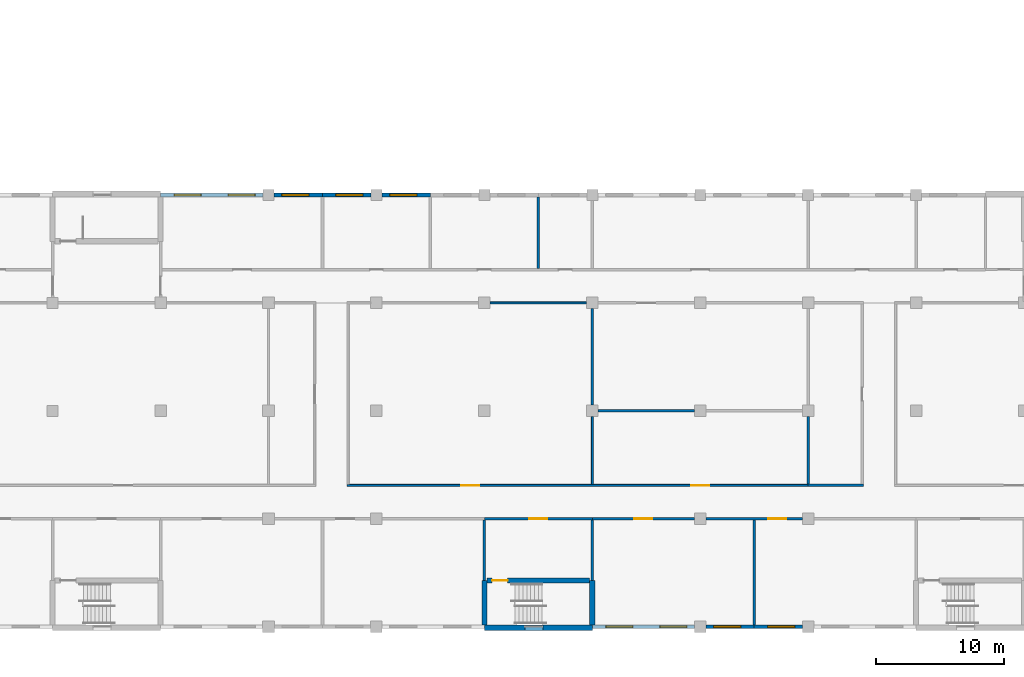
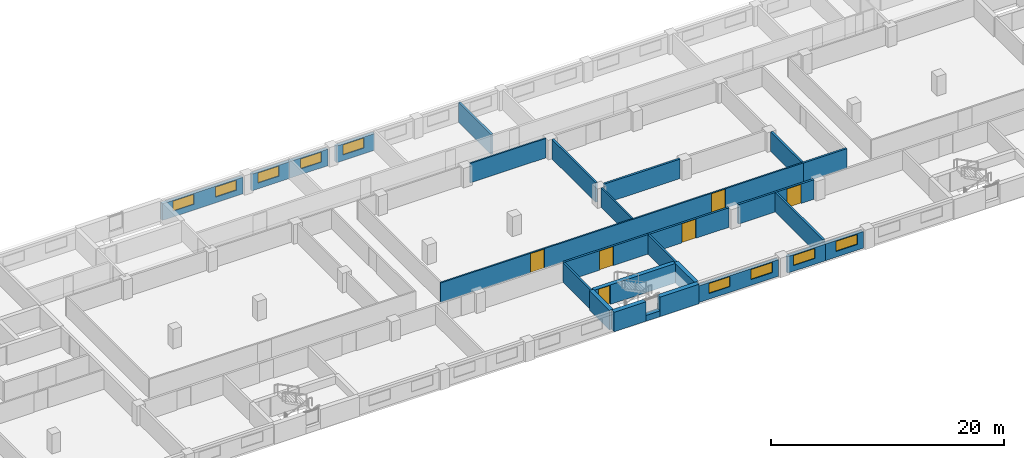
# One storey, part 33 of 48: 27 walls, 9 windows, 6 doors, 15 openings.
"""IFC4 building model written with IfcOpenShell, lengths in metres."""

from ifc_helpers import new_model, si_unit, direction, frame, frame_2d, origin, place, context, subcontext, project, spatial, rectangle, extrude, material, layer, layer_set, type_object, element, fill, save


model = new_model("IFC4")

# Units and contexts
model_context = context("Model", 3, precision=1e-05, world=origin(), true_north=direction((0.0, 1.0)))
body_context = subcontext(model_context, "Body", "Model", "MODEL_VIEW")
ifc_project = project(units=[si_unit("LENGTHUNIT", "METRE"), si_unit("AREAUNIT", "SQUARE_METRE"), si_unit("VOLUMEUNIT", "CUBIC_METRE"), si_unit("PLANEANGLEUNIT", "RADIAN"), si_unit("MASSUNIT", "GRAM", prefix="KILO")], contexts=[model_context])

# Site, building, storey
site_placement = place(None, origin())
site = spatial("IfcSite", under=ifc_project, at=site_placement, CompositionType="ELEMENT")
building_placement = place(site_placement, origin())
building = spatial("IfcBuilding", under=site, at=building_placement, Name="Yavir Park General Hospital", CompositionType="ELEMENT")
storey_placement = place(building_placement, frame((0.0, 0.0, 12.89990234375)))
storey = spatial("IfcBuildingStorey", under=building, at=storey_placement, Name="I02", CompositionType="ELEMENT", Elevation=12.89990234375)

# Wall, opening, door
ifc_material_1 = material(Name="Double gypsum board fire partition on steel studs", Category="steel")
ifc_layer_1 = layer(ifc_material_1, 0.199951171875)
ifc_layer_set_1 = layer_set([ifc_layer_1], Name="Double gypsum board fire partition on steel studs")
wall_type_1 = type_object("IfcWallType", Name="Fire-rated partition 200, EI 60", PredefinedType="PARTITIONING", material=ifc_layer_set_1)
wall_1_placement = place(storey_placement, frame((67.199951171875, 8.39990234375, 0.0), z_axis=(0.0, 0.0, 1.0), x_axis=(1.0, 0.0, 0.0)))
wall_1 = element("IfcWall", 1, at=wall_1_placement, inside=storey, type_object=wall_type_1, Name="FP20 I02-010", PredefinedType="PARTITIONING", context=body_context, shape_type="SweptSolid", body=[
    extrude(rectangle(XDim=8.400146484375, YDim=0.199951171875, at=frame_2d((4.2001953125, 0.0))), origin(), (0.0, 0.0, 1.0), 2.0400390625),
])
opening_1_placement = place(wall_1_placement, frame((3.5, 0.0, 0.0)))
opening_1 = element("IfcOpeningElement", 2, at=opening_1_placement, cuts=wall_1, Name="Opening I02.D009", PredefinedType="OPENING", context=body_context, shape_type="SweptSolid", body=[
    extrude(rectangle(XDim=1.39990234375, YDim=2.0, at=frame_2d((0.699951171875, 1.0))), frame((0.0, 0.10986328125, 0.0), z_axis=(0.0, -1.0, 0.0), x_axis=(1.0, 0.0, 0.0)), (0.0, 0.0, 1.0), 0.219970703125),
])
ifc_material_2 = material(Name="Steel frame, fire-resisting leaves with vision panels", Category="steel")
door_type_1 = type_object("IfcDoorType", Name="Double fire door with vision panels 1400 x 2000, EI 60", OperationType="DOUBLE_DOOR_SINGLE_SWING", PredefinedType="DOOR", material=ifc_material_2)
door_1_placement = place(opening_1_placement, origin())
door_1 = element("IfcDoor", 3, at=door_1_placement, inside=storey, type_object=door_type_1, Name="I02.D009", OperationType="SINGLE_SWING_LEFT", OverallHeight=2.0, OverallWidth=1.39990234375, PredefinedType="DOOR", context=body_context, shape_type="SweptSolid", body=[
    extrude(rectangle(XDim=1.39990234375, YDim=2.0, at=frame_2d((0.699951171875, 1.0))), frame((0.0, 0.030029296875, 0.0), z_axis=(0.0, -1.0, 0.0), x_axis=(1.0, 0.0, 0.0)), (0.0, 0.0, 1.0), 0.06005859375),
])
fill(opening_1, door_1)

# Walls
for number, where, z_axis, x_axis, name in (
    (4, (67.199951171875, 3.60009765625, 0.0), (0.0, 0.0, 1.0), (0.0, 1.0, 0.0), "FP20 I02-155"),
    (5, (75.60009765625, 3.60009765625, 0.0), (0.0, 0.0, 1.0), (0.0, 1.0, 0.0), "FP20 I02-158"),
):
    element("IfcWall", number, at=place(storey_placement, frame(where, z_axis=z_axis, x_axis=x_axis)), inside=storey, type_object=wall_type_1, Name=name, PredefinedType="PARTITIONING", context=body_context, shape_type="SweptSolid", body=[
        extrude(rectangle(XDim=4.699951171875, YDim=0.199951171875, at=frame_2d((2.35009765625, 0.0))), origin(), (0.0, 0.0, 1.0), 2.0400390625),
    ])

# Wall, openings, doors
ifc_material_3 = material(Name="Gypsum board partition on steel studs", Category="steel")
ifc_layer_2 = layer(ifc_material_3, 0.14990234375)
ifc_layer_set_2 = layer_set([ifc_layer_2], Name="Gypsum board partition on steel studs")
wall_type_2 = type_object("IfcWallType", Name="Gypsum board partition 150", PredefinedType="PARTITIONING", material=ifc_layer_set_2)
wall_2_placement = place(storey_placement, frame((56.52490234375, 11.0, 0.0), z_axis=(0.0, 0.0, 1.0), x_axis=(1.0, 0.0, 0.0)))
wall_2 = element("IfcWall", 6, at=wall_2_placement, inside=storey, type_object=wall_type_2, Name="P15 I02-023", PredefinedType="PARTITIONING", context=body_context, shape_type="SweptSolid", body=[
    extrude(rectangle(XDim=35.875, YDim=0.14990234375, at=frame_2d((17.9375, 0.0))), origin(), (0.0, 0.0, 1.0), 2.0400390625),
])
opening_2_placement = place(wall_2_placement, frame((8.875, 0.0, 0.0)))
opening_2 = element("IfcOpeningElement", 7, at=opening_2_placement, cuts=wall_2, Name="Opening I02.D019", PredefinedType="OPENING", context=body_context, shape_type="SweptSolid", body=[
    extrude(rectangle(XDim=1.39990234375, YDim=2.0, at=frame_2d((0.699951171875, 1.0))), frame((0.0, 0.0849609375, 0.0), z_axis=(0.0, -1.0, 0.0), x_axis=(1.0, 0.0, 0.0)), (0.0, 0.0, 1.0), 0.169921875),
])
opening_3_placement = place(wall_2_placement, frame((26.77490234375, 0.0, 0.0)))
opening_3 = element("IfcOpeningElement", 8, at=opening_3_placement, cuts=wall_2, Name="Opening I02.D020", PredefinedType="OPENING", context=body_context, shape_type="SweptSolid", body=[
    extrude(rectangle(XDim=1.39990234375, YDim=2.0, at=frame_2d((0.699951171875, 1.0))), frame((0.0, 0.0849609375, 0.0), z_axis=(0.0, -1.0, 0.0), x_axis=(1.0, 0.0, 0.0)), (0.0, 0.0, 1.0), 0.169921875),
])
ifc_material_4 = material(Name="Hollow metal frame, solid-core timber leaf", Category="wood")
door_type_2 = type_object("IfcDoorType", Name="Double swing door 1400 x 2000", OperationType="DOUBLE_DOOR_SINGLE_SWING", PredefinedType="DOOR", material=ifc_material_4)
door_2_placement = place(opening_2_placement, origin())
door_2 = element("IfcDoor", 9, at=door_2_placement, inside=storey, type_object=door_type_2, Name="I02.D019", OperationType="SINGLE_SWING_RIGHT", OverallHeight=2.0, OverallWidth=1.39990234375, PredefinedType="DOOR", context=body_context, shape_type="SweptSolid", body=[
    extrude(rectangle(XDim=1.39990234375, YDim=2.0, at=frame_2d((0.699951171875, 1.0))), frame((0.0, 0.02490234375, 0.0), z_axis=(0.0, -1.0, 0.0), x_axis=(1.0, 0.0, 0.0)), (0.0, 0.0, 1.0), 0.050048828125),
])
fill(opening_2, door_2)
door_3_placement = place(opening_3_placement, origin())
door_3 = element("IfcDoor", 10, at=door_3_placement, inside=storey, type_object=door_type_2, Name="I02.D020", OperationType="SINGLE_SWING_RIGHT", OverallHeight=2.0, OverallWidth=1.39990234375, PredefinedType="DOOR", context=body_context, shape_type="SweptSolid", body=[
    extrude(rectangle(XDim=1.39990234375, YDim=2.0, at=frame_2d((0.699951171875, 1.0))), frame((0.0, 0.02490234375, 0.0), z_axis=(0.0, -1.0, 0.0), x_axis=(1.0, 0.0, 0.0)), (0.0, 0.0, 1.0), 0.050048828125),
])
fill(opening_3, door_3)

# Walls
wall_3_placement = place(storey_placement, frame((67.64990234375, 25.199951171875, 0.0), z_axis=(0.0, 0.0, 1.0), x_axis=(1.0, 0.0, 0.0)))
element("IfcWall", 11, at=wall_3_placement, inside=storey, type_object=wall_type_2, Name="P15 I02-050", PredefinedType="PARTITIONING", context=body_context, shape_type="SweptSolid", body=[
    extrude(rectangle(XDim=7.5, YDim=0.14990234375, at=frame_2d((3.75, 0.0))), origin(), (0.0, 0.0, 1.0), 2.0400390625),
])
wall_4_placement = place(storey_placement, frame((75.60009765625, 11.074951171875, 0.0), z_axis=(0.0, 0.0, 1.0), x_axis=(0.0, 1.0, 0.0)))
element("IfcWall", 12, at=wall_4_placement, inside=storey, type_object=wall_type_2, Name="P15 I02-159", PredefinedType="PARTITIONING", context=body_context, shape_type="SweptSolid", body=[
    extrude(rectangle(XDim=5.275146484375, YDim=0.14990234375, at=frame_2d((2.6376953125, 0.0))), origin(), (0.0, 0.0, 1.0), 2.0400390625),
])

# Wall, openings, windows
ifc_material_5 = material(Name="Insulated sandwich panels on a Steel S355 subframe", Category="steel")
ifc_layer_3 = layer(ifc_material_5, 0.300048828125)
ifc_layer_set_3 = layer_set([ifc_layer_3], Name="Insulated sandwich panels on a Steel S355 subframe")
wall_type_3 = type_object("IfcWallType", Name="Insulated panel service floor wall 300, E 30", PredefinedType="SOLIDWALL", material=ifc_layer_set_3)
wall_5_placement = place(storey_placement, frame((75.60009765625, 0.0, 0.0), z_axis=(0.0, 0.0, 1.0), x_axis=(1.0, 0.0, 0.0)))
wall_5 = element("IfcWall", 13, at=wall_5_placement, inside=storey, type_object=wall_type_3, Name="XW5 I02-016", PredefinedType="SOLIDWALL", context=body_context, shape_type="SweptSolid", body=[
    extrude(rectangle(XDim=7.949951171875, YDim=0.300048828125, at=frame_2d((3.97509765625, 0.0))), origin(), (0.0, 0.0, 1.0), 1.739990234375),
])
opening_4_placement = place(wall_5_placement, frame((1.050048828125, 0.0, 0.60009765625)))
opening_4 = element("IfcOpeningElement", 14, at=opening_4_placement, cuts=wall_5, Name="Opening LV3", PredefinedType="OPENING", context=body_context, shape_type="SweptSolid", body=[
    extrude(rectangle(XDim=2.10009765625, YDim=1.050048828125, at=frame_2d((1.050048828125, 0.52490234375))), frame((0.0, 0.159912109375, 0.0), z_axis=(0.0, -1.0, 0.0), x_axis=(1.0, 0.0, 0.0)), (0.0, 0.0, 1.0), 0.320068359375),
])
opening_5_placement = place(wall_5_placement, frame((5.25, 0.0, 0.60009765625)))
opening_5 = element("IfcOpeningElement", 15, at=opening_5_placement, cuts=wall_5, Name="Opening LV3", PredefinedType="OPENING", context=body_context, shape_type="SweptSolid", body=[
    extrude(rectangle(XDim=2.10009765625, YDim=1.050048828125, at=frame_2d((1.050048828125, 0.52490234375))), frame((0.0, 0.159912109375, 0.0), z_axis=(0.0, -1.0, 0.0), x_axis=(1.0, 0.0, 0.0)), (0.0, 0.0, 1.0), 0.320068359375),
])
ifc_material_6 = material(Name="Anodised aluminium louvre blades in a deep frame", Category="aluminium")
window_type = type_object("IfcWindowType", Name="Interstitial floor louvre 2100 x 1050", PartitioningType="SINGLE_PANEL", PredefinedType="WINDOW", material=ifc_material_6)
window_1_placement = place(opening_4_placement, origin())
window_1 = element("IfcWindow", 16, at=window_1_placement, inside=storey, type_object=window_type, Name="LV3 I02-015", OverallHeight=1.050048828125, OverallWidth=2.10009765625, PartitioningType="SINGLE_PANEL", PredefinedType="WINDOW", context=body_context, shape_type="SweptSolid", body=[
    extrude(rectangle(XDim=2.10009765625, YDim=1.050048828125, at=frame_2d((1.050048828125, 0.52490234375))), frame((0.0, 0.074951171875, 0.0), z_axis=(0.0, -1.0, 0.0), x_axis=(1.0, 0.0, 0.0)), (0.0, 0.0, 1.0), 0.14990234375),
])
fill(opening_4, window_1)
window_2_placement = place(opening_5_placement, origin())
window_2 = element("IfcWindow", 17, at=window_2_placement, inside=storey, type_object=window_type, Name="LV3 I02-016", OverallHeight=1.050048828125, OverallWidth=2.10009765625, PartitioningType="SINGLE_PANEL", PredefinedType="WINDOW", context=body_context, shape_type="SweptSolid", body=[
    extrude(rectangle(XDim=2.10009765625, YDim=1.050048828125, at=frame_2d((1.050048828125, 0.52490234375))), frame((0.0, 0.074951171875, 0.0), z_axis=(0.0, -1.0, 0.0), x_axis=(1.0, 0.0, 0.0)), (0.0, 0.0, 1.0), 0.14990234375),
])
fill(opening_5, window_2)

# Wall, opening, window
wall_6_placement = place(storey_placement, frame((84.449951171875, 0.0, 0.0), z_axis=(0.0, 0.0, 1.0), x_axis=(1.0, 0.0, 0.0)))
wall_6 = element("IfcWall", 18, at=wall_6_placement, inside=storey, type_object=wall_type_3, Name="XW5 I02-017", PredefinedType="SOLIDWALL", context=body_context, shape_type="SweptSolid", body=[
    extrude(rectangle(XDim=3.75, YDim=0.300048828125, at=frame_2d((1.875, 0.0))), origin(), (0.0, 0.0, 1.0), 1.739990234375),
])
opening_6_placement = place(wall_6_placement, frame((0.60009765625, 0.0, 0.60009765625)))
opening_6 = element("IfcOpeningElement", 19, at=opening_6_placement, cuts=wall_6, Name="Opening LV3", PredefinedType="OPENING", context=body_context, shape_type="SweptSolid", body=[
    extrude(rectangle(XDim=2.10009765625, YDim=1.050048828125, at=frame_2d((1.050048828125, 0.52490234375))), frame((0.0, 0.159912109375, 0.0), z_axis=(0.0, -1.0, 0.0), x_axis=(1.0, 0.0, 0.0)), (0.0, 0.0, 1.0), 0.320068359375),
])
window_3_placement = place(opening_6_placement, origin())
window_3 = element("IfcWindow", 20, at=window_3_placement, inside=storey, type_object=window_type, Name="LV3 I02-017", OverallHeight=1.050048828125, OverallWidth=2.10009765625, PartitioningType="SINGLE_PANEL", PredefinedType="WINDOW", context=body_context, shape_type="SweptSolid", body=[
    extrude(rectangle(XDim=2.10009765625, YDim=1.050048828125, at=frame_2d((1.050048828125, 0.52490234375))), frame((0.0, 0.074951171875, 0.0), z_axis=(0.0, -1.0, 0.0), x_axis=(1.0, 0.0, 0.0)), (0.0, 0.0, 1.0), 0.14990234375),
])
fill(opening_6, window_3)

wall_7_placement = place(storey_placement, frame((88.199951171875, 0.0, 0.0), z_axis=(0.0, 0.0, 1.0), x_axis=(1.0, 0.0, 0.0)))
wall_7 = element("IfcWall", 21, at=wall_7_placement, inside=storey, type_object=wall_type_3, Name="XW5 I02-018", PredefinedType="SOLIDWALL", context=body_context, shape_type="SweptSolid", body=[
    extrude(rectangle(XDim=3.75, YDim=0.300048828125, at=frame_2d((1.875, 0.0))), origin(), (0.0, 0.0, 1.0), 1.739990234375),
])
opening_7_placement = place(wall_7_placement, frame((1.050048828125, 0.0, 0.60009765625)))
opening_7 = element("IfcOpeningElement", 22, at=opening_7_placement, cuts=wall_7, Name="Opening LV3", PredefinedType="OPENING", context=body_context, shape_type="SweptSolid", body=[
    extrude(rectangle(XDim=2.10009765625, YDim=1.050048828125, at=frame_2d((1.050048828125, 0.52490234375))), frame((0.0, 0.159912109375, 0.0), z_axis=(0.0, -1.0, 0.0), x_axis=(1.0, 0.0, 0.0)), (0.0, 0.0, 1.0), 0.320068359375),
])
window_4_placement = place(opening_7_placement, origin())
window_4 = element("IfcWindow", 23, at=window_4_placement, inside=storey, type_object=window_type, Name="LV3 I02-018", OverallHeight=1.050048828125, OverallWidth=2.10009765625, PartitioningType="SINGLE_PANEL", PredefinedType="WINDOW", context=body_context, shape_type="SweptSolid", body=[
    extrude(rectangle(XDim=2.10009765625, YDim=1.050048828125, at=frame_2d((1.050048828125, 0.52490234375))), frame((0.0, 0.074951171875, 0.0), z_axis=(0.0, -1.0, 0.0), x_axis=(1.0, 0.0, 0.0)), (0.0, 0.0, 1.0), 0.14990234375),
])
fill(opening_7, window_4)

# Wall, openings, windows
wall_8_placement = place(storey_placement, frame((42.0, 33.60009765625, 0.0), z_axis=(0.0, 0.0, 1.0), x_axis=(1.0, 0.0, 0.0)))
wall_8 = element("IfcWall", 24, at=wall_8_placement, inside=storey, type_object=wall_type_3, Name="XW5 I02-038", PredefinedType="SOLIDWALL", context=body_context, shape_type="SweptSolid", body=[
    extrude(rectangle(XDim=7.97509765625, YDim=0.300048828125, at=frame_2d((3.987548828125, 0.0))), origin(), (0.0, 0.0, 1.0), 1.739990234375),
])
opening_8_placement = place(wall_8_placement, frame((1.050048828125, 0.0, 0.60009765625)))
opening_8 = element("IfcOpeningElement", 25, at=opening_8_placement, cuts=wall_8, Name="Opening LV3", PredefinedType="OPENING", context=body_context, shape_type="SweptSolid", body=[
    extrude(rectangle(XDim=2.10009765625, YDim=1.050048828125, at=frame_2d((1.050048828125, 0.52490234375))), frame((0.0, 0.159912109375, 0.0), z_axis=(0.0, -1.0, 0.0), x_axis=(1.0, 0.0, 0.0)), (0.0, 0.0, 1.0), 0.320068359375),
])
opening_9_placement = place(wall_8_placement, frame((5.25, 0.0, 0.60009765625)))
opening_9 = element("IfcOpeningElement", 26, at=opening_9_placement, cuts=wall_8, Name="Opening LV3", PredefinedType="OPENING", context=body_context, shape_type="SweptSolid", body=[
    extrude(rectangle(XDim=2.10009765625, YDim=1.050048828125, at=frame_2d((1.050048828125, 0.52490234375))), frame((0.0, 0.159912109375, 0.0), z_axis=(0.0, -1.0, 0.0), x_axis=(1.0, 0.0, 0.0)), (0.0, 0.0, 1.0), 0.320068359375),
])
window_5_placement = place(opening_8_placement, origin())
window_5 = element("IfcWindow", 27, at=window_5_placement, inside=storey, type_object=window_type, Name="LV3 I02-034", OverallHeight=1.050048828125, OverallWidth=2.10009765625, PartitioningType="SINGLE_PANEL", PredefinedType="WINDOW", context=body_context, shape_type="SweptSolid", body=[
    extrude(rectangle(XDim=2.10009765625, YDim=1.050048828125, at=frame_2d((1.050048828125, 0.52490234375))), frame((0.0, 0.074951171875, 0.0), z_axis=(0.0, -1.0, 0.0), x_axis=(1.0, 0.0, 0.0)), (0.0, 0.0, 1.0), 0.14990234375),
])
fill(opening_8, window_5)
window_6_placement = place(opening_9_placement, origin())
window_6 = element("IfcWindow", 28, at=window_6_placement, inside=storey, type_object=window_type, Name="LV3 I02-035", OverallHeight=1.050048828125, OverallWidth=2.10009765625, PartitioningType="SINGLE_PANEL", PredefinedType="WINDOW", context=body_context, shape_type="SweptSolid", body=[
    extrude(rectangle(XDim=2.10009765625, YDim=1.050048828125, at=frame_2d((1.050048828125, 0.52490234375))), frame((0.0, 0.074951171875, 0.0), z_axis=(0.0, -1.0, 0.0), x_axis=(1.0, 0.0, 0.0)), (0.0, 0.0, 1.0), 0.14990234375),
])
fill(opening_9, window_6)

# Wall, opening, window
wall_9_placement = place(storey_placement, frame((50.824951171875, 33.60009765625, 0.0), z_axis=(0.0, 0.0, 1.0), x_axis=(1.0, 0.0, 0.0)))
wall_9 = element("IfcWall", 29, at=wall_9_placement, inside=storey, type_object=wall_type_3, Name="XW5 I02-039", PredefinedType="SOLIDWALL", context=body_context, shape_type="SweptSolid", body=[
    extrude(rectangle(XDim=3.775146484375, YDim=0.300048828125, at=frame_2d((1.8876953125, 0.0))), origin(), (0.0, 0.0, 1.0), 1.739990234375),
])
opening_10_placement = place(wall_9_placement, frame((0.625, 0.0, 0.60009765625)))
opening_10 = element("IfcOpeningElement", 30, at=opening_10_placement, cuts=wall_9, Name="Opening LV3", PredefinedType="OPENING", context=body_context, shape_type="SweptSolid", body=[
    extrude(rectangle(XDim=2.10009765625, YDim=1.050048828125, at=frame_2d((1.050048828125, 0.52490234375))), frame((0.0, 0.159912109375, 0.0), z_axis=(0.0, -1.0, 0.0), x_axis=(1.0, 0.0, 0.0)), (0.0, 0.0, 1.0), 0.320068359375),
])
window_7_placement = place(opening_10_placement, origin())
window_7 = element("IfcWindow", 31, at=window_7_placement, inside=storey, type_object=window_type, Name="LV3 I02-036", OverallHeight=1.050048828125, OverallWidth=2.10009765625, PartitioningType="SINGLE_PANEL", PredefinedType="WINDOW", context=body_context, shape_type="SweptSolid", body=[
    extrude(rectangle(XDim=2.10009765625, YDim=1.050048828125, at=frame_2d((1.050048828125, 0.52490234375))), frame((0.0, 0.074951171875, 0.0), z_axis=(0.0, -1.0, 0.0), x_axis=(1.0, 0.0, 0.0)), (0.0, 0.0, 1.0), 0.14990234375),
])
fill(opening_10, window_7)

wall_10_placement = place(storey_placement, frame((54.60009765625, 33.60009765625, 0.0), z_axis=(0.0, 0.0, 1.0), x_axis=(1.0, 0.0, 0.0)))
wall_10 = element("IfcWall", 32, at=wall_10_placement, inside=storey, type_object=wall_type_3, Name="XW5 I02-040", PredefinedType="SOLIDWALL", context=body_context, shape_type="SweptSolid", body=[
    extrude(rectangle(XDim=3.77490234375, YDim=0.300048828125, at=frame_2d((1.887451171875, 0.0))), origin(), (0.0, 0.0, 1.0), 1.739990234375),
])
opening_11_placement = place(wall_10_placement, frame((1.050048828125, 0.0, 0.60009765625)))
opening_11 = element("IfcOpeningElement", 33, at=opening_11_placement, cuts=wall_10, Name="Opening LV3", PredefinedType="OPENING", context=body_context, shape_type="SweptSolid", body=[
    extrude(rectangle(XDim=2.10009765625, YDim=1.050048828125, at=frame_2d((1.050048828125, 0.52490234375))), frame((0.0, 0.159912109375, 0.0), z_axis=(0.0, -1.0, 0.0), x_axis=(1.0, 0.0, 0.0)), (0.0, 0.0, 1.0), 0.320068359375),
])
window_8_placement = place(opening_11_placement, origin())
window_8 = element("IfcWindow", 34, at=window_8_placement, inside=storey, type_object=window_type, Name="LV3 I02-037", OverallHeight=1.050048828125, OverallWidth=2.10009765625, PartitioningType="SINGLE_PANEL", PredefinedType="WINDOW", context=body_context, shape_type="SweptSolid", body=[
    extrude(rectangle(XDim=2.10009765625, YDim=1.050048828125, at=frame_2d((1.050048828125, 0.52490234375))), frame((0.0, 0.074951171875, 0.0), z_axis=(0.0, -1.0, 0.0), x_axis=(1.0, 0.0, 0.0)), (0.0, 0.0, 1.0), 0.14990234375),
])
fill(opening_11, window_8)

wall_11_placement = place(storey_placement, frame((59.22509765625, 33.60009765625, 0.0), z_axis=(0.0, 0.0, 1.0), x_axis=(1.0, 0.0, 0.0)))
wall_11 = element("IfcWall", 35, at=wall_11_placement, inside=storey, type_object=wall_type_3, Name="XW5 I02-041", PredefinedType="SOLIDWALL", context=body_context, shape_type="SweptSolid", body=[
    extrude(rectangle(XDim=3.77490234375, YDim=0.300048828125, at=frame_2d((1.887451171875, 0.0))), origin(), (0.0, 0.0, 1.0), 1.739990234375),
])
opening_12_placement = place(wall_11_placement, frame((0.625, 0.0, 0.60009765625)))
opening_12 = element("IfcOpeningElement", 36, at=opening_12_placement, cuts=wall_11, Name="Opening LV3", PredefinedType="OPENING", context=body_context, shape_type="SweptSolid", body=[
    extrude(rectangle(XDim=2.10009765625, YDim=1.050048828125, at=frame_2d((1.050048828125, 0.52490234375))), frame((0.0, 0.159912109375, 0.0), z_axis=(0.0, -1.0, 0.0), x_axis=(1.0, 0.0, 0.0)), (0.0, 0.0, 1.0), 0.320068359375),
])
window_9_placement = place(opening_12_placement, origin())
window_9 = element("IfcWindow", 37, at=window_9_placement, inside=storey, type_object=window_type, Name="LV3 I02-038", OverallHeight=1.050048828125, OverallWidth=2.10009765625, PartitioningType="SINGLE_PANEL", PredefinedType="WINDOW", context=body_context, shape_type="SweptSolid", body=[
    extrude(rectangle(XDim=2.10009765625, YDim=1.050048828125, at=frame_2d((1.050048828125, 0.52490234375))), frame((0.0, 0.074951171875, 0.0), z_axis=(0.0, -1.0, 0.0), x_axis=(1.0, 0.0, 0.0)), (0.0, 0.0, 1.0), 0.14990234375),
])
fill(opening_12, window_9)

# Wall, opening, door
ifc_material_7 = material(Name="Clay block masonry infill", Category="masonry")
ifc_layer_4 = layer(ifc_material_7, 0.199951171875)
ifc_layer_set_4 = layer_set([ifc_layer_4], Name="Clay block masonry infill")
wall_type_4 = type_object("IfcWallType", Name="Masonry infill wall 200", PredefinedType="SOLIDWALL", material=ifc_layer_set_4)
wall_12_placement = place(storey_placement, frame((75.60009765625, 8.39990234375, 0.0), z_axis=(0.0, 0.0, 1.0), x_axis=(1.0, 0.0, 0.0)))
wall_12 = element("IfcWall", 38, at=wall_12_placement, inside=storey, type_object=wall_type_4, Name="MW20 I02-011", PredefinedType="SOLIDWALL", context=body_context, shape_type="SweptSolid", body=[
    extrude(rectangle(XDim=7.949951171875, YDim=0.199951171875, at=frame_2d((3.97509765625, 0.0))), origin(), (0.0, 0.0, 1.0), 2.0400390625),
])
opening_13_placement = place(wall_12_placement, frame((3.27490234375, 0.0, 0.0)))
opening_13 = element("IfcOpeningElement", 39, at=opening_13_placement, cuts=wall_12, Name="Opening I02.D010", PredefinedType="OPENING", context=body_context, shape_type="SweptSolid", body=[
    extrude(rectangle(XDim=1.39990234375, YDim=2.0, at=frame_2d((0.699951171875, 1.0))), frame((0.0, 0.10986328125, 0.0), z_axis=(0.0, -1.0, 0.0), x_axis=(1.0, 0.0, 0.0)), (0.0, 0.0, 1.0), 0.219970703125),
])
door_4_placement = place(opening_13_placement, origin())
door_4 = element("IfcDoor", 40, at=door_4_placement, inside=storey, type_object=door_type_2, Name="I02.D010", OperationType="SINGLE_SWING_LEFT", OverallHeight=2.0, OverallWidth=1.39990234375, PredefinedType="DOOR", context=body_context, shape_type="SweptSolid", body=[
    extrude(rectangle(XDim=1.39990234375, YDim=2.0, at=frame_2d((0.699951171875, 1.0))), frame((0.0, 0.02490234375, 0.0), z_axis=(0.0, -1.0, 0.0), x_axis=(1.0, 0.0, 0.0)), (0.0, 0.0, 1.0), 0.050048828125),
])
fill(opening_13, door_4)

wall_13_placement = place(storey_placement, frame((84.449951171875, 8.39990234375, 0.0), z_axis=(0.0, 0.0, 1.0), x_axis=(1.0, 0.0, 0.0)))
wall_13 = element("IfcWall", 41, at=wall_13_placement, inside=storey, type_object=wall_type_4, Name="MW20 I02-012", PredefinedType="SOLIDWALL", context=body_context, shape_type="SweptSolid", body=[
    extrude(rectangle(XDim=7.5, YDim=0.199951171875, at=frame_2d((3.75, 0.0))), origin(), (0.0, 0.0, 1.0), 2.0400390625),
])
opening_14_placement = place(wall_13_placement, frame((4.824951171875, 0.0, 0.0)))
opening_14 = element("IfcOpeningElement", 42, at=opening_14_placement, cuts=wall_13, Name="Opening I02.D011", PredefinedType="OPENING", context=body_context, shape_type="SweptSolid", body=[
    extrude(rectangle(XDim=1.39990234375, YDim=2.0, at=frame_2d((0.699951171875, 1.0))), frame((0.0, 0.10986328125, 0.0), z_axis=(0.0, -1.0, 0.0), x_axis=(1.0, 0.0, 0.0)), (0.0, 0.0, 1.0), 0.219970703125),
])
door_5_placement = place(opening_14_placement, origin())
door_5 = element("IfcDoor", 43, at=door_5_placement, inside=storey, type_object=door_type_2, Name="I02.D011", OperationType="SINGLE_SWING_LEFT", OverallHeight=2.0, OverallWidth=1.39990234375, PredefinedType="DOOR", context=body_context, shape_type="SweptSolid", body=[
    extrude(rectangle(XDim=1.39990234375, YDim=2.0, at=frame_2d((0.699951171875, 1.0))), frame((0.0, 0.02490234375, 0.0), z_axis=(0.0, -1.0, 0.0), x_axis=(1.0, 0.0, 0.0)), (0.0, 0.0, 1.0), 0.050048828125),
])
fill(opening_14, door_5)

# Walls
wall_14_placement = place(storey_placement, frame((92.39990234375, 11.0, 0.0), z_axis=(0.0, 0.0, 1.0), x_axis=(1.0, 0.0, 0.0)))
element("IfcWall", 44, at=wall_14_placement, inside=storey, type_object=wall_type_4, Name="MW20 I02-024", PredefinedType="SOLIDWALL", context=body_context, shape_type="SweptSolid", body=[
    extrude(rectangle(XDim=4.300048828125, YDim=0.199951171875, at=frame_2d((2.14990234375, 0.0))), origin(), (0.0, 0.0, 1.0), 2.0400390625),
])
wall_15_placement = place(storey_placement, frame((76.050048828125, 16.800048828125, 0.0), z_axis=(0.0, 0.0, 1.0), x_axis=(1.0, 0.0, 0.0)))
element("IfcWall", 45, at=wall_15_placement, inside=storey, type_object=wall_type_4, Name="MW20 I02-033", PredefinedType="SOLIDWALL", context=body_context, shape_type="SweptSolid", body=[
    extrude(rectangle(XDim=7.5, YDim=0.199951171875, at=frame_2d((3.75, 0.0))), origin(), (0.0, 0.0, 1.0), 2.0400390625),
])
wall_16_placement = place(storey_placement, frame((71.39990234375, 27.89990234375, 0.0), z_axis=(0.0, 0.0, 1.0), x_axis=(0.0, 1.0, 0.0)))
element("IfcWall", 46, at=wall_16_placement, inside=storey, type_object=wall_type_4, Name="MW20 I02-156", PredefinedType="SOLIDWALL", context=body_context, shape_type="SweptSolid", body=[
    extrude(rectangle(XDim=5.550048828125, YDim=0.199951171875, at=frame_2d((2.77490234375, 0.0))), origin(), (0.0, 0.0, 1.0), 2.10009765625),
])
wall_17_placement = place(storey_placement, frame((75.60009765625, 17.25, 0.0), z_axis=(0.0, 0.0, 1.0), x_axis=(0.0, 1.0, 0.0)))
element("IfcWall", 47, at=wall_17_placement, inside=storey, type_object=wall_type_4, Name="MW20 I02-160", PredefinedType="SOLIDWALL", context=body_context, shape_type="SweptSolid", body=[
    extrude(rectangle(XDim=7.5, YDim=0.199951171875, at=frame_2d((3.75, 0.0))), origin(), (0.0, 0.0, 1.0), 2.0400390625),
])
wall_18_placement = place(storey_placement, frame((88.199951171875, 0.14990234375, 0.0), z_axis=(0.0, 0.0, 1.0), x_axis=(0.0, 1.0, 0.0)))
element("IfcWall", 48, at=wall_18_placement, inside=storey, type_object=wall_type_4, Name="MW20 I02-162", PredefinedType="SOLIDWALL", context=body_context, shape_type="SweptSolid", body=[
    extrude(rectangle(XDim=8.150146484375, YDim=0.199951171875, at=frame_2d((4.0751953125, 0.0))), origin(), (0.0, 0.0, 1.0), 2.0400390625),
])
wall_19_placement = place(storey_placement, frame((92.39990234375, 11.10009765625, 0.0), z_axis=(0.0, 0.0, 1.0), x_axis=(0.0, 1.0, 0.0)))
element("IfcWall", 49, at=wall_19_placement, inside=storey, type_object=wall_type_4, Name="MW20 I02-163", PredefinedType="SOLIDWALL", context=body_context, shape_type="SweptSolid", body=[
    extrude(rectangle(XDim=5.25, YDim=0.199951171875, at=frame_2d((2.625, 0.0))), origin(), (0.0, 0.0, 1.0), 2.0400390625),
])

# Wall, opening, door
ifc_material_8 = material(Name="Concrete C35/45", Category="concrete")
ifc_layer_5 = layer(ifc_material_8, 0.39990234375)
ifc_layer_set_5 = layer_set([ifc_layer_5], Name="Concrete C35/45")
wall_type_5 = type_object("IfcWallType", Name="Reinforced concrete core wall 400, REI 150", PredefinedType="SHEAR", material=ifc_layer_set_5)
wall_20_placement = place(storey_placement, frame((67.39990234375, 3.60009765625, 0.0), z_axis=(0.0, 0.0, 1.0), x_axis=(1.0, 0.0, 0.0)))
wall_20 = element("IfcWall", 50, at=wall_20_placement, inside=storey, type_object=wall_type_5, Name="CW40 I02-002", PredefinedType="SHEAR", context=body_context, shape_type="SweptSolid", body=[
    extrude(rectangle(XDim=8.0, YDim=0.39990234375, at=frame_2d((4.0, 0.0))), origin(), (0.0, 0.0, 1.0), 2.0400390625),
])
opening_15_placement = place(wall_20_placement, frame((0.39990234375, 0.0, 0.0)))
opening_15 = element("IfcOpeningElement", 51, at=opening_15_placement, cuts=wall_20, Name="Opening I02.D002", PredefinedType="OPENING", context=body_context, shape_type="SweptSolid", body=[
    extrude(rectangle(XDim=1.199951171875, YDim=2.0, at=frame_2d((0.60009765625, 1.0))), frame((0.0, 0.2099609375, 0.0), z_axis=(0.0, -1.0, 0.0), x_axis=(1.0, 0.0, 0.0)), (0.0, 0.0, 1.0), 0.419921875),
])
ifc_material_9 = material(Name="Steel frame, fire-resisting timber leaf", Category="steel")
door_type_3 = type_object("IfcDoorType", Name="Fire door 1200 x 2000, EI 60", OperationType="SINGLE_SWING_LEFT", PredefinedType="DOOR", material=ifc_material_9)
door_6_placement = place(opening_15_placement, origin())
door_6 = element("IfcDoor", 52, at=door_6_placement, inside=storey, type_object=door_type_3, Name="I02.D002", OperationType="SINGLE_SWING_LEFT", OverallHeight=2.0, OverallWidth=1.199951171875, PredefinedType="DOOR", context=body_context, shape_type="SweptSolid", body=[
    extrude(rectangle(XDim=1.199951171875, YDim=2.0, at=frame_2d((0.60009765625, 1.0))), frame((0.0, 0.02490234375, 0.0), z_axis=(0.0, -1.0, 0.0), x_axis=(1.0, 0.0, 0.0)), (0.0, 0.0, 1.0), 0.050048828125),
])
fill(opening_15, door_6)

# Walls
for number, where, z_axis, x_axis, name in (
    (53, (67.199951171875, 0.14990234375, 0.0), (0.0, 0.0, 1.0), (0.0, 1.0, 0.0), "CW40 I02-154"),
    (54, (75.60009765625, 0.14990234375, 0.0), (0.0, 0.0, 1.0), (0.0, 1.0, 0.0), "CW40 I02-157"),
):
    element("IfcWall", number, at=place(storey_placement, frame(where, z_axis=z_axis, x_axis=x_axis)), inside=storey, type_object=wall_type_5, Name=name, PredefinedType="SHEAR", context=body_context, shape_type="SweptSolid", body=[
        extrude(rectangle(XDim=3.4501953125, YDim=0.39990234375, at=frame_2d((1.72509765625, 0.0))), origin(), (0.0, 0.0, 1.0), 2.0400390625),
    ])
ifc_material_10 = material(Name="Concrete C30/37 precast panel with 150 mm mineral wool insulation", Category="concrete")
ifc_layer_6 = layer(ifc_material_10, 0.449951171875)
ifc_layer_set_6 = layer_set([ifc_layer_6], Name="Concrete C30/37 precast panel with 150 mm mineral wool insulation")
wall_type_6 = type_object("IfcWallType", Name="Stair enclosure wall 450, REI 150", PredefinedType="SOLIDWALL", material=ifc_layer_set_6)
wall_21_placement = place(storey_placement, frame((67.199951171875, -0.074951171875, 0.0), z_axis=(0.0, 0.0, 1.0), x_axis=(1.0, 0.0, 0.0)))
element("IfcWall", 55, at=wall_21_placement, inside=storey, type_object=wall_type_6, Name="XW6 I02-013", PredefinedType="SOLIDWALL", context=body_context, shape_type="SweptSolid", body=[
    extrude(rectangle(XDim=3.150146484375, YDim=0.449951171875, at=frame_2d((1.5751953125, 0.0))), origin(), (0.0, 0.0, 1.0), 2.0400390625),
])
wall_22_placement = place(storey_placement, frame((71.75, -0.074951171875, 0.0), z_axis=(0.0, 0.0, 1.0), x_axis=(1.0, 0.0, 0.0)))
element("IfcWall", 56, at=wall_22_placement, inside=storey, type_object=wall_type_6, Name="XW6 I02-014", PredefinedType="SOLIDWALL", context=body_context, shape_type="SweptSolid", body=[
    extrude(rectangle(XDim=3.85009765625, YDim=0.449951171875, at=frame_2d((1.925048828125, 0.0))), origin(), (0.0, 0.0, 1.0), 2.0400390625),
])
wall_23_placement = place(storey_placement, frame((70.35009765625, -0.074951171875, 0.0), z_axis=(0.0, 0.0, 1.0), x_axis=(1.0, 0.0, 0.0)))
element("IfcWall", 57, at=wall_23_placement, inside=storey, type_object=wall_type_6, Name="XW6 I02-015", PredefinedType="SOLIDWALL", context=body_context, shape_type="SweptSolid", body=[
    extrude(rectangle(XDim=1.39990234375, YDim=0.449951171875, at=frame_2d((0.699951171875, 0.0))), origin(), (0.0, 0.0, 1.0), 0.60009765625),
])

save(model, "model.ifc")
